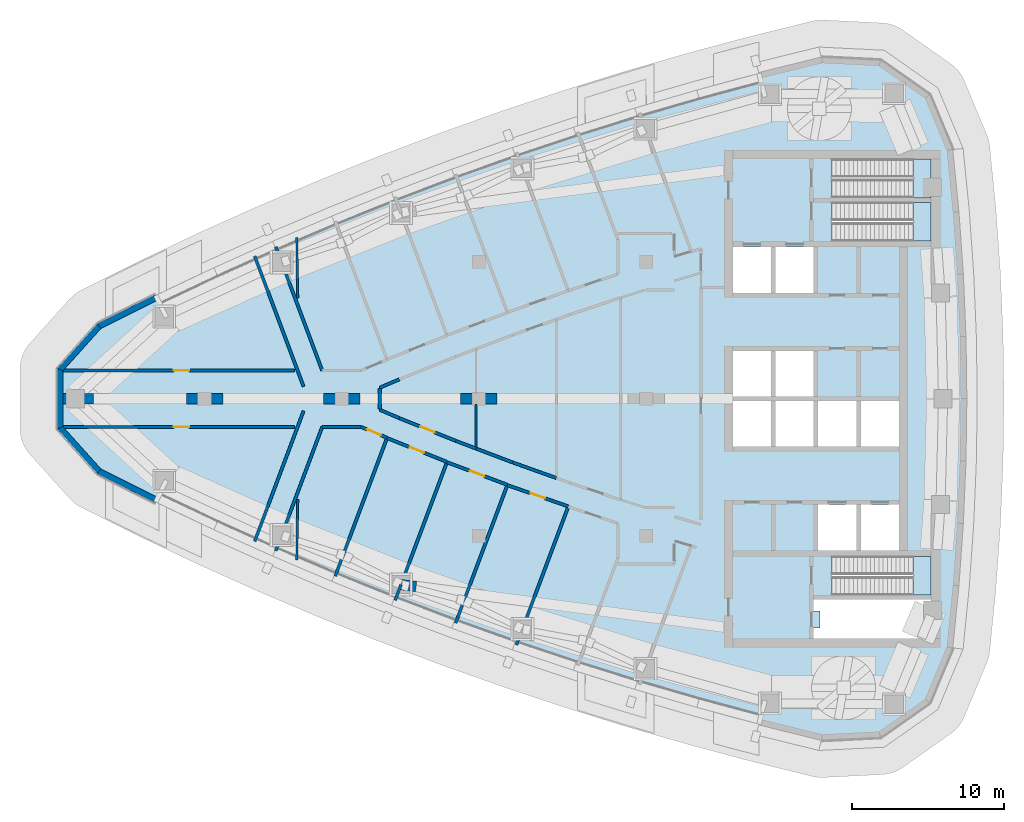
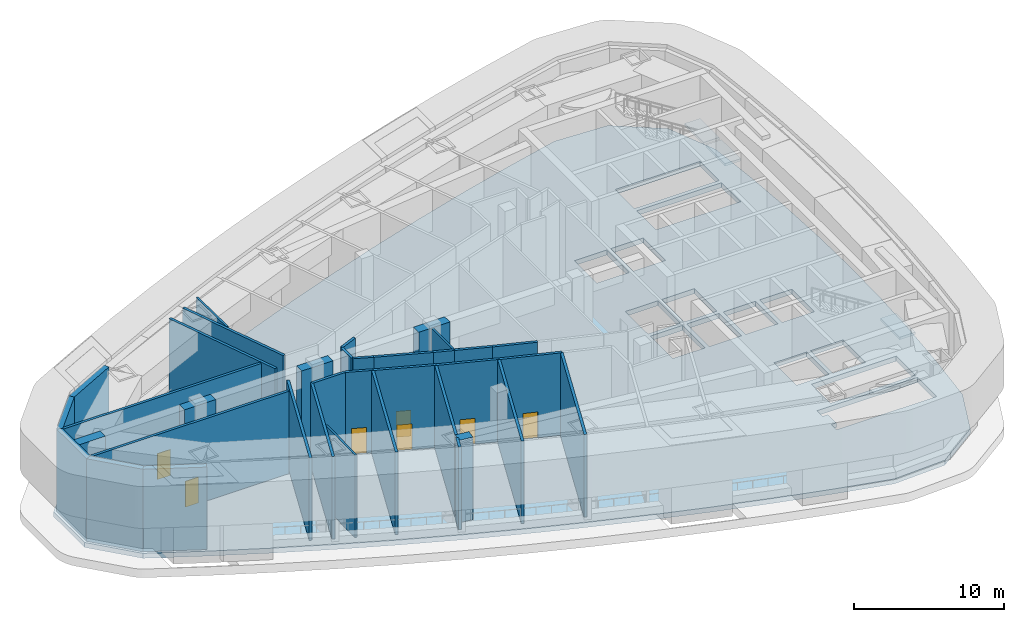
# One storey, part 2 of 12: 36 walls, 7 doors, 4 slabs, 8 openings, 3 elements without a shape of their own.
"""IFC4 building model written with IfcOpenShell, lengths in metres."""

from ifc_helpers import new_model, si_unit, direction, frame, frame_2d, origin, place, context, subcontext, project, spatial, polyline, rectangle, outline, extrude, material, layer, layer_set, type_object, element, fill, aggregate, save


model = new_model("IFC4")

# Units and contexts
model_context = context("Model", 3, precision=1e-05, world=origin(), true_north=direction((0.0, 1.0)))
body_context = subcontext(model_context, "Body", "Model", "MODEL_VIEW")
ifc_project = project(units=[si_unit("LENGTHUNIT", "METRE"), si_unit("AREAUNIT", "SQUARE_METRE"), si_unit("VOLUMEUNIT", "CUBIC_METRE"), si_unit("PLANEANGLEUNIT", "RADIAN"), si_unit("MASSUNIT", "GRAM", prefix="KILO")], contexts=[model_context])

# Site, building, storey
site_placement = place(None, origin())
site = spatial("IfcSite", under=ifc_project, at=site_placement, CompositionType="ELEMENT")
building_placement = place(site_placement, origin())
building = spatial("IfcBuilding", under=site, at=building_placement, Name="Ostrand Prow Hotel Tower", CompositionType="ELEMENT")
storey_placement = place(building_placement, frame((0.0, 0.0, 256.300048828125)))
storey = spatial("IfcBuildingStorey", under=building, at=storey_placement, Name="L65", CompositionType="ELEMENT", Elevation=256.300048828125)

# Slab, opening
ifc_material_1 = material(Name="Concrete C40/50", Category="concrete")
ifc_layer_1 = layer(ifc_material_1, 0.39990234375)
ifc_layer_set_1 = layer_set([ifc_layer_1], Name="Concrete C40/50")
slab_type_1 = type_object("IfcSlabType", Name="PT flat plate 400 C40/50", PredefinedType="FLOOR", material=ifc_layer_set_1)
slab_1_placement = place(storey_placement, frame((0.0, 0.0, -0.400146484375)))
slab_1 = element("IfcSlab", 1, at=slab_1_placement, inside=storey, type_object=slab_type_1, Name="Floor slab L65-1", PredefinedType="FLOOR", context=body_context, shape_type="SweptSolid", body=[
    extrude(outline(polyline([(8.85205078125, 5.097412109375), (12.679443359375, 7.009765625), (16.50390625, 8.825439453125), (20.364013671875, 10.563720703125), (24.258544921875, 12.223876953125), (28.185791015625, 13.80517578125), (32.143798828125, 15.30712890625), (36.131591796875, 16.72900390625), (40.14697265625, 18.0703125), (44.188720703125, 19.330810546875), (48.2548828125, 20.50927734375), (52.343994140625, 21.605712890625), (56.4873046875, 22.627685546875), (60.48193359375, 22.4287109375), (63.7822265625, 20.107177734375), (65.320068359375, 16.414794921875), (65.728515625, 12.29736328125), (66.018310546875, 8.20361328125), (66.19189453125, 4.103515625), (66.25, 0.0), (66.19189453125, -4.103515625), (66.018310546875, -8.20361328125), (65.728515625, -12.29736328125), (65.320068359375, -16.414794921875), (63.7822265625, -20.107177734375), (60.48193359375, -22.4287109375), (56.4873046875, -22.627685546875), (52.343994140625, -21.605712890625), (48.2548828125, -20.50927734375), (44.188720703125, -19.330810546875), (40.14697265625, -18.0703125), (36.131591796875, -16.72900390625), (32.143798828125, -15.30712890625), (28.185791015625, -13.80517578125), (24.258544921875, -12.223876953125), (20.364013671875, -10.563720703125), (16.50390625, -8.825439453125), (12.679443359375, -7.009765625), (8.85205078125, -5.097412109375), (6.127685546875, -2.06298828125), (6.127685546875, 2.06298828125), (8.85205078125, 5.097412109375)]), holes=[polyline([(50.699951171875, 6.949951171875), (53.199951171875, 6.949951171875), (53.199951171875, 9.949951171875), (50.699951171875, 9.949951171875), (50.699951171875, 6.949951171875)]), polyline([(53.5, 6.949951171875), (56.0, 6.949951171875), (56.0, 9.949951171875), (53.5, 9.949951171875), (53.5, 6.949951171875)]), polyline([(50.699951171875, 0.14990234375), (53.199951171875, 0.14990234375), (53.199951171875, 3.14990234375), (50.699951171875, 3.14990234375), (50.699951171875, 0.14990234375)]), polyline([(53.5, 0.14990234375), (56.0, 0.14990234375), (56.0, 3.14990234375), (53.5, 3.14990234375), (53.5, 0.14990234375)]), polyline([(50.699951171875, -3.14990234375), (53.199951171875, -3.14990234375), (53.199951171875, -0.14990234375), (50.699951171875, -0.14990234375), (50.699951171875, -3.14990234375)]), polyline([(53.5, -3.14990234375), (56.0, -3.14990234375), (56.0, -0.14990234375), (53.5, -0.14990234375), (53.5, -3.14990234375)]), polyline([(56.300048828125, -3.14990234375), (58.800048828125, -3.14990234375), (58.800048828125, -0.14990234375), (56.300048828125, -0.14990234375), (56.300048828125, -3.14990234375)]), polyline([(59.10009765625, -3.14990234375), (61.60009765625, -3.14990234375), (61.60009765625, -0.14990234375), (59.10009765625, -0.14990234375), (59.10009765625, -3.14990234375)]), polyline([(56.300048828125, -9.949951171875), (58.800048828125, -9.949951171875), (58.800048828125, -6.949951171875), (56.300048828125, -6.949951171875), (56.300048828125, -9.949951171875)]), polyline([(59.10009765625, -9.949951171875), (61.60009765625, -9.949951171875), (61.60009765625, -6.949951171875), (59.10009765625, -6.949951171875), (59.10009765625, -9.949951171875)]), polyline([(57.200927734375, 10.35107421875), (57.200927734375, 12.89892578125), (63.718994140625, 12.89892578125), (63.718994140625, 10.35107421875), (57.200927734375, 10.35107421875)]), polyline([(57.200927734375, 13.200927734375), (57.200927734375, 15.7490234375), (63.718994140625, 15.7490234375), (63.718994140625, 13.200927734375), (57.200927734375, 13.200927734375)]), polyline([(57.200927734375, -12.89892578125), (57.200927734375, -10.35107421875), (63.718994140625, -10.35107421875), (63.718994140625, -12.89892578125), (57.200927734375, -12.89892578125)]), polyline([(56.0, -13.949951171875), (56.0, -13.199951171875), (63.719970703125, -13.199951171875), (63.719970703125, -15.75), (56.0, -15.75), (56.0, -15.050048828125), (56.39990234375, -15.050048828125), (56.39990234375, -13.949951171875), (56.0, -13.949951171875)])]), origin(), (0.0, 0.0, 1.0), 0.400146484375),
])
opening_1_placement = place(slab_1_placement, origin())
element("IfcOpeningElement", 2, at=opening_1_placement, cuts=slab_1, Name="Shaft opening 1", PredefinedType="OPENING", context=body_context, shape_type="SweptSolid", body=[
    extrude(outline(polyline([(56.0, -13.949951171875), (56.0, -13.199951171875), (63.719970703125, -13.199951171875), (63.719970703125, -15.75), (56.0, -15.75), (56.0, -15.050048828125), (56.39990234375, -15.050048828125), (56.39990234375, -13.949951171875), (56.0, -13.949951171875)])), origin(), (0.0, 0.0, 1.0), 0.400146484375),
])

# Stair, slab
ifc_material_2 = material(Name="Concrete C40/50", Category="concrete")
stair_type = type_object("IfcStairType", Name="Exit stair 1200 upper zone", PredefinedType="HALF_TURN_STAIR", material=ifc_material_2)
stair_1_placement = place(storey_placement, origin())
stair_1 = element("IfcStair", 3, at=stair_1_placement, inside=storey, type_object=stair_type, Name="L65 ST1C", PredefinedType="HALF_TURN_STAIR")
ifc_material_3 = material(Name="Concrete C40/50", Category="concrete")
ifc_layer_2 = layer(ifc_material_3, 0.199951171875)
ifc_layer_set_2 = layer_set([ifc_layer_2], Name="Concrete C40/50")
slab_type_2 = type_object("IfcSlabType", Name="Stair landing 200 concrete", PredefinedType="LANDING", material=ifc_layer_set_2)
slab_2_placement = place(storey_placement, frame((0.0, 0.0, 3.300048828125)))
slab_2 = element("IfcSlab", 4, at=slab_2_placement, type_object=slab_type_2, Name="ST1C landing 1", PredefinedType="LANDING", context=body_context, shape_type="SweptSolid", body=[
    extrude(outline(polyline([(62.52001953125, 10.35009765625), (63.719970703125, 10.35009765625), (63.719970703125, 12.89990234375), (62.52001953125, 12.89990234375), (62.52001953125, 10.35009765625)])), origin(), (0.0, 0.0, 1.0), 0.199951171875),
])
aggregate(stair_1, [slab_2])

stair_2_placement = place(storey_placement, origin())
stair_2 = element("IfcStair", 5, at=stair_2_placement, inside=storey, type_object=stair_type, Name="L65 ST3C", PredefinedType="HALF_TURN_STAIR")
slab_3_placement = place(storey_placement, frame((0.0, 0.0, 3.300048828125)))
slab_3 = element("IfcSlab", 6, at=slab_3_placement, type_object=slab_type_2, Name="ST3C landing 1", PredefinedType="LANDING", context=body_context, shape_type="SweptSolid", body=[
    extrude(outline(polyline([(62.52001953125, 13.199951171875), (63.719970703125, 13.199951171875), (63.719970703125, 15.75), (62.52001953125, 15.75), (62.52001953125, 13.199951171875)])), origin(), (0.0, 0.0, 1.0), 0.199951171875),
])
aggregate(stair_2, [slab_3])

stair_3_placement = place(storey_placement, origin())
stair_3 = element("IfcStair", 7, at=stair_3_placement, inside=storey, type_object=stair_type, Name="L65 ST2C", PredefinedType="HALF_TURN_STAIR")
slab_4_placement = place(storey_placement, frame((0.0, 0.0, 3.300048828125)))
slab_4 = element("IfcSlab", 8, at=slab_4_placement, type_object=slab_type_2, Name="ST2C landing 1", PredefinedType="LANDING", context=body_context, shape_type="SweptSolid", body=[
    extrude(outline(polyline([(62.52001953125, -12.89990234375), (63.719970703125, -12.89990234375), (63.719970703125, -10.35009765625), (62.52001953125, -10.35009765625), (62.52001953125, -12.89990234375)])), origin(), (0.0, 0.0, 1.0), 0.199951171875),
])
aggregate(stair_3, [slab_4])

# Walls
ifc_material_4 = material(Name="Concrete C50/60", Category="concrete")
ifc_layer_3 = layer(ifc_material_4, 0.699951171875)
ifc_layer_set_3 = layer_set([ifc_layer_3], Name="Concrete C50/60")
wall_type_1 = type_object("IfcWallType", Name="Outrigger wall 700 C50/60", PredefinedType="SHEAR", material=ifc_layer_set_3)
wall_1_placement = place(storey_placement, frame((6.31396484375, 0.0, 0.0), z_axis=(0.0, 0.0, 1.0), x_axis=(1.0, 0.0, 0.0)))
element("IfcWall", 9, at=wall_1_placement, inside=storey, type_object=wall_type_1, Name="Outrigger wall A1", PredefinedType="SHEAR", context=body_context, shape_type="SweptSolid", body=[
    extrude(rectangle(XDim=2.400146484375, YDim=0.699951171875, at=frame_2d((1.2001953125, 0.0))), origin(), (0.0, 0.0, 1.0), 6.699951171875),
])
for number, where, z_axis, x_axis, name in (
    (10, (14.800048828125, 0.0, 0.0), (0.0, 0.0, 1.0), (1.0, 0.0, 0.0), "Outrigger wall A2"),
    (11, (23.800048828125, 0.0, 0.0), (0.0, 0.0, 1.0), (1.0, 0.0, 0.0), "Outrigger wall A3"),
    (12, (32.800048828125, 0.0, 0.0), (0.0, 0.0, 1.0), (1.0, 0.0, 0.0), "Outrigger wall A4"),
):
    element("IfcWall", number, at=place(storey_placement, frame(where, z_axis=z_axis, x_axis=x_axis)), inside=storey, type_object=wall_type_1, Name=name, PredefinedType="SHEAR", context=body_context, shape_type="SweptSolid", body=[
        extrude(rectangle(XDim=2.39990234375, YDim=0.699951171875, at=frame_2d((1.199951171875, 0.0))), origin(), (0.0, 0.0, 1.0), 6.699951171875),
    ])
wall_2_placement = place(storey_placement, frame((29.8916015625, -12.336181640625, 0.0), z_axis=(0.0, 0.0, 1.0), x_axis=(-0.991401867066, 0.130852351822, 0.0)))
element("IfcWall", 13, at=wall_2_placement, inside=storey, type_object=wall_type_1, Name="Outrigger wall DS2", PredefinedType="SHEAR", context=body_context, shape_type="SweptSolid", body=[
    extrude(rectangle(XDim=1.0, YDim=0.699951171875, at=frame_2d((0.5, 0.0))), origin(), (0.0, 0.0, 1.0), 6.699951171875),
])
ifc_material_5 = material(Name="Plasterboard partition")
ifc_layer_4 = layer(ifc_material_5, 0.14990234375)
ifc_layer_set_4 = layer_set([ifc_layer_4], Name="Plasterboard partition")
wall_type_2 = type_object("IfcWallType", Name="Partition 150 room partition", PredefinedType="PARTITIONING", material=ifc_layer_set_4)
wall_3_placement = place(storey_placement, frame((33.830078125, -3.2724609375, 0.0), z_axis=(0.0, 0.0, 1.0), x_axis=(0.0, 1.0, 0.0)))
element("IfcWall", 14, at=wall_3_placement, inside=storey, type_object=wall_type_2, Name="ROOM PARTITION", PredefinedType="PARTITIONING", context=body_context, shape_type="SweptSolid", body=[
    extrude(rectangle(XDim=2.92236328125, YDim=0.14990234375, at=frame_2d((1.461181640625, 0.0))), origin(), (0.0, 0.0, 1.0), 6.699951171875),
])
for number, where, z_axis, x_axis, name in (
    (15, (22.05712890625, 10.577880859375, 0.0), (0.0, 0.0, 1.0), (0.013880726457, -0.999903658076, 0.0), "ROOM PARTITION"),
    (16, (22.1123046875, -6.603271484375, 0.0), (0.0, 0.0, 1.0), (-0.013880726457, -0.999903658076, 0.0), "ROOM PARTITION"),
):
    element("IfcWall", number, at=place(storey_placement, frame(where, z_axis=z_axis, x_axis=x_axis)), inside=storey, type_object=wall_type_2, Name=name, PredefinedType="PARTITIONING", context=body_context, shape_type="SweptSolid", body=[
        extrude(rectangle(XDim=3.97509765625, YDim=0.14990234375, at=frame_2d((1.987548828125, 0.0))), origin(), (0.0, 0.0, 1.0), 6.699951171875),
    ])

# Wall, opening, door
ifc_material_6 = material(Name="Plasterboard partition")
ifc_layer_5 = layer(ifc_material_6, 0.199951171875)
ifc_layer_set_5 = layer_set([ifc_layer_5], Name="Plasterboard partition")
wall_type_3 = type_object("IfcWallType", Name="Partition 200 corridor wall", PredefinedType="PARTITIONING", material=ifc_layer_set_5)
wall_4_placement = place(storey_placement, frame((6.724609375, 1.85009765625, 0.0), z_axis=(0.0, 0.0, 1.0), x_axis=(1.0, 0.0, 0.0)))
wall_4 = element("IfcWall", 17, at=wall_4_placement, inside=storey, type_object=wall_type_3, Name="CORRIDOR WALL", PredefinedType="PARTITIONING", context=body_context, shape_type="SweptSolid", body=[
    extrude(rectangle(XDim=15.187744140625, YDim=0.199951171875, at=frame_2d((7.59375, 0.0))), origin(), (0.0, 0.0, 1.0), 6.699951171875),
])
opening_2_placement = place(wall_4_placement, frame((7.257080078125, 0.0, 0.0)))
opening_2 = element("IfcOpeningElement", 18, at=opening_2_placement, cuts=wall_4, Name="Opening D1", PredefinedType="OPENING", context=body_context, shape_type="SweptSolid", body=[
    extrude(rectangle(XDim=1.0, YDim=2.10009765625, at=frame_2d((0.5, 1.050048828125))), frame((0.0, 0.10986328125, 0.0), z_axis=(0.0, -1.0, 0.0), x_axis=(1.0, 0.0, 0.0)), (0.0, 0.0, 1.0), 0.219970703125),
])
ifc_material_7 = material(Name="Timber door leaf", Category="wood")
door_type_1 = type_object("IfcDoorType", Name="Guest room door 1000", OperationType="SINGLE_SWING_LEFT", PredefinedType="DOOR", material=ifc_material_7)
door_1_placement = place(opening_2_placement, origin())
door_1 = element("IfcDoor", 19, at=door_1_placement, inside=storey, type_object=door_type_1, Name="DOOR", OperationType="SINGLE_SWING_LEFT", OverallHeight=2.10009765625, OverallWidth=1.0, PredefinedType="DOOR", context=body_context, shape_type="SweptSolid", body=[
    extrude(rectangle(XDim=1.0, YDim=2.10009765625, at=frame_2d((0.5, 1.050048828125))), frame((0.0, 0.02490234375, 0.0), z_axis=(0.0, -1.0, 0.0), x_axis=(1.0, 0.0, 0.0)), (0.0, 0.0, 1.0), 0.050048828125),
])
fill(opening_2, door_1)

wall_5_placement = place(storey_placement, frame((6.724609375, -1.85009765625, 0.0), z_axis=(0.0, 0.0, 1.0), x_axis=(1.0, 0.0, 0.0)))
wall_5 = element("IfcWall", 20, at=wall_5_placement, inside=storey, type_object=wall_type_3, Name="CORRIDOR WALL", PredefinedType="PARTITIONING", context=body_context, shape_type="SweptSolid", body=[
    extrude(rectangle(XDim=15.187744140625, YDim=0.199951171875, at=frame_2d((7.59375, 0.0))), origin(), (0.0, 0.0, 1.0), 6.699951171875),
])
opening_3_placement = place(wall_5_placement, frame((7.257080078125, 0.0, 0.0)))
opening_3 = element("IfcOpeningElement", 21, at=opening_3_placement, cuts=wall_5, Name="Opening D1R", PredefinedType="OPENING", context=body_context, shape_type="SweptSolid", body=[
    extrude(rectangle(XDim=1.0, YDim=2.10009765625, at=frame_2d((0.5, 1.050048828125))), frame((0.0, 0.10986328125, 0.0), z_axis=(0.0, -1.0, 0.0), x_axis=(1.0, 0.0, 0.0)), (0.0, 0.0, 1.0), 0.219970703125),
])
ifc_material_8 = material(Name="Timber door leaf", Category="wood")
door_type_2 = type_object("IfcDoorType", Name="Guest room door 1000 right", OperationType="SINGLE_SWING_RIGHT", PredefinedType="DOOR", material=ifc_material_8)
door_2_placement = place(opening_3_placement, origin())
door_2 = element("IfcDoor", 22, at=door_2_placement, inside=storey, type_object=door_type_2, Name="DOOR", OperationType="SINGLE_SWING_RIGHT", OverallHeight=2.10009765625, OverallWidth=1.0, PredefinedType="DOOR", context=body_context, shape_type="SweptSolid", body=[
    extrude(rectangle(XDim=1.0, YDim=2.10009765625, at=frame_2d((0.5, 1.050048828125))), frame((0.0, 0.02490234375, 0.0), z_axis=(0.0, -1.0, 0.0), x_axis=(1.0, 0.0, 0.0)), (0.0, 0.0, 1.0), 0.050048828125),
])
fill(opening_3, door_2)

wall_6_placement = place(storey_placement, frame((26.265869140625, -1.85009765625, 0.0), z_axis=(0.0, 0.0, 1.0), x_axis=(0.924055156704, -0.382259162569, 0.0)))
wall_6 = element("IfcWall", 23, at=wall_6_placement, inside=storey, type_object=wall_type_3, Name="CORRIDOR WALL", PredefinedType="PARTITIONING", context=body_context, shape_type="SweptSolid", body=[
    extrude(rectangle(XDim=1.8623046875, YDim=0.199951171875, at=frame_2d((0.93115234375, 0.0))), origin(), (0.0, 0.0, 1.0), 6.699951171875),
])
opening_4_placement = place(wall_6_placement, frame((0.43115234375, 0.0, 0.0)))
opening_4 = element("IfcOpeningElement", 24, at=opening_4_placement, cuts=wall_6, Name="Opening D1R", PredefinedType="OPENING", context=body_context, shape_type="SweptSolid", body=[
    extrude(rectangle(XDim=1.0, YDim=2.10009765625, at=frame_2d((0.5, 1.050048828125))), frame((0.0, 0.10986328125, 0.0), z_axis=(0.0, -1.0, 0.0), x_axis=(1.0, 0.0, 0.0)), (0.0, 0.0, 1.0), 0.219970703125),
])
door_3_placement = place(opening_4_placement, origin())
door_3 = element("IfcDoor", 25, at=door_3_placement, inside=storey, type_object=door_type_2, Name="DOOR", OperationType="SINGLE_SWING_RIGHT", OverallHeight=2.10009765625, OverallWidth=1.0, PredefinedType="DOOR", context=body_context, shape_type="SweptSolid", body=[
    extrude(rectangle(XDim=1.0, YDim=2.10009765625, at=frame_2d((0.5, 1.050048828125))), frame((0.0, 0.02490234375, 0.0), z_axis=(0.0, -1.0, 0.0), x_axis=(1.0, 0.0, 0.0)), (0.0, 0.0, 1.0), 0.050048828125),
])
fill(opening_4, door_3)

wall_7_placement = place(storey_placement, frame((27.979736328125, -2.58056640625, 0.0), z_axis=(0.0, 0.0, 1.0), x_axis=(0.928920552813, -0.370279092795, 0.0)))
wall_7 = element("IfcWall", 26, at=wall_7_placement, inside=storey, type_object=wall_type_3, Name="CORRIDOR WALL", PredefinedType="PARTITIONING", context=body_context, shape_type="SweptSolid", body=[
    extrude(rectangle(XDim=4.2421875, YDim=0.199951171875, at=frame_2d((2.12109375, 0.0))), origin(), (0.0, 0.0, 1.0), 6.699951171875),
])
opening_5_placement = place(wall_7_placement, frame((1.62109375, 0.0, 0.0)))
opening_5 = element("IfcOpeningElement", 27, at=opening_5_placement, cuts=wall_7, Name="Opening D1", PredefinedType="OPENING", context=body_context, shape_type="SweptSolid", body=[
    extrude(rectangle(XDim=1.0, YDim=2.10009765625, at=frame_2d((0.5, 1.050048828125))), frame((0.0, 0.10986328125, 0.0), z_axis=(0.0, -1.0, 0.0), x_axis=(1.0, 0.0, 0.0)), (0.0, 0.0, 1.0), 0.219970703125),
])
door_4_placement = place(opening_5_placement, origin())
door_4 = element("IfcDoor", 28, at=door_4_placement, inside=storey, type_object=door_type_1, Name="DOOR", OperationType="SINGLE_SWING_LEFT", OverallHeight=2.10009765625, OverallWidth=1.0, PredefinedType="DOOR", context=body_context, shape_type="SweptSolid", body=[
    extrude(rectangle(XDim=1.0, YDim=2.10009765625, at=frame_2d((0.5, 1.050048828125))), frame((0.0, 0.02490234375, 0.0), z_axis=(0.0, -1.0, 0.0), x_axis=(1.0, 0.0, 0.0)), (0.0, 0.0, 1.0), 0.050048828125),
])
fill(opening_5, door_4)

wall_8_placement = place(storey_placement, frame((31.913330078125, -4.170166015625, 0.0), z_axis=(0.0, 0.0, 1.0), x_axis=(0.936848300955, -0.349735987565, 0.0)))
wall_8 = element("IfcWall", 29, at=wall_8_placement, inside=storey, type_object=wall_type_3, Name="CORRIDOR WALL", PredefinedType="PARTITIONING", context=body_context, shape_type="SweptSolid", body=[
    extrude(rectangle(XDim=4.24365234375, YDim=0.199951171875, at=frame_2d((2.121826171875, 0.0))), origin(), (0.0, 0.0, 1.0), 6.699951171875),
])
opening_6_placement = place(wall_8_placement, frame((1.621826171875, 0.0, 0.0)))
opening_6 = element("IfcOpeningElement", 30, at=opening_6_placement, cuts=wall_8, Name="Opening D1R", PredefinedType="OPENING", context=body_context, shape_type="SweptSolid", body=[
    extrude(rectangle(XDim=1.0, YDim=2.10009765625, at=frame_2d((0.5, 1.050048828125))), frame((0.0, 0.10986328125, 0.0), z_axis=(0.0, -1.0, 0.0), x_axis=(1.0, 0.0, 0.0)), (0.0, 0.0, 1.0), 0.219970703125),
])
door_5_placement = place(opening_6_placement, origin())
door_5 = element("IfcDoor", 31, at=door_5_placement, inside=storey, type_object=door_type_2, Name="DOOR", OperationType="SINGLE_SWING_RIGHT", OverallHeight=2.10009765625, OverallWidth=1.0, PredefinedType="DOOR", context=body_context, shape_type="SweptSolid", body=[
    extrude(rectangle(XDim=1.0, YDim=2.10009765625, at=frame_2d((0.5, 1.050048828125))), frame((0.0, 0.02490234375, 0.0), z_axis=(0.0, -1.0, 0.0), x_axis=(1.0, 0.0, 0.0)), (0.0, 0.0, 1.0), 0.050048828125),
])
fill(opening_6, door_5)

wall_9_placement = place(storey_placement, frame((35.882080078125, -5.673095703125, 0.0), z_axis=(0.0, 0.0, 1.0), x_axis=(0.944107376821, -0.329638075823, 0.0)))
wall_9 = element("IfcWall", 32, at=wall_9_placement, inside=storey, type_object=wall_type_3, Name="CORRIDOR WALL", PredefinedType="PARTITIONING", context=body_context, shape_type="SweptSolid", body=[
    extrude(rectangle(XDim=4.24462890625, YDim=0.199951171875, at=frame_2d((2.122314453125, 0.0))), origin(), (0.0, 0.0, 1.0), 6.699951171875),
])
opening_7_placement = place(wall_9_placement, frame((1.622314453125, 0.0, 0.0)))
opening_7 = element("IfcOpeningElement", 33, at=opening_7_placement, cuts=wall_9, Name="Opening D1", PredefinedType="OPENING", context=body_context, shape_type="SweptSolid", body=[
    extrude(rectangle(XDim=1.0, YDim=2.10009765625, at=frame_2d((0.5, 1.050048828125))), frame((0.0, 0.10986328125, 0.0), z_axis=(0.0, -1.0, 0.0), x_axis=(1.0, 0.0, 0.0)), (0.0, 0.0, 1.0), 0.219970703125),
])
door_6_placement = place(opening_7_placement, origin())
door_6 = element("IfcDoor", 34, at=door_6_placement, inside=storey, type_object=door_type_1, Name="DOOR", OperationType="SINGLE_SWING_LEFT", OverallHeight=2.10009765625, OverallWidth=1.0, PredefinedType="DOOR", context=body_context, shape_type="SweptSolid", body=[
    extrude(rectangle(XDim=1.0, YDim=2.10009765625, at=frame_2d((0.5, 1.050048828125))), frame((0.0, 0.02490234375, 0.0), z_axis=(0.0, -1.0, 0.0), x_axis=(1.0, 0.0, 0.0)), (0.0, 0.0, 1.0), 0.050048828125),
])
fill(opening_7, door_6)

wall_10_placement = place(storey_placement, frame((32.50146484375, -2.768310546875, 0.0), z_axis=(0.0, 0.0, 1.0), x_axis=(-0.927622894464, 0.373518092823, 0.0)))
wall_10 = element("IfcWall", 35, at=wall_10_placement, inside=storey, type_object=wall_type_3, Name="CORRIDOR WALL", PredefinedType="PARTITIONING", context=body_context, shape_type="SweptSolid", body=[
    extrude(rectangle(XDim=3.994873046875, YDim=0.199951171875, at=frame_2d((1.99755859375, 0.0))), origin(), (0.0, 0.0, 1.0), 6.699951171875),
])
opening_8_placement = place(wall_10_placement, frame((1.49755859375, 0.0, 0.0)))
opening_8 = element("IfcOpeningElement", 36, at=opening_8_placement, cuts=wall_10, Name="Opening D1", PredefinedType="OPENING", context=body_context, shape_type="SweptSolid", body=[
    extrude(rectangle(XDim=1.0, YDim=2.10009765625, at=frame_2d((0.5, 1.050048828125))), frame((0.0, 0.10986328125, 0.0), z_axis=(0.0, -1.0, 0.0), x_axis=(1.0, 0.0, 0.0)), (0.0, 0.0, 1.0), 0.219970703125),
])
door_7_placement = place(opening_8_placement, origin())
door_7 = element("IfcDoor", 37, at=door_7_placement, inside=storey, type_object=door_type_1, Name="DOOR", OperationType="SINGLE_SWING_LEFT", OverallHeight=2.10009765625, OverallWidth=1.0, PredefinedType="DOOR", context=body_context, shape_type="SweptSolid", body=[
    extrude(rectangle(XDim=1.0, YDim=2.10009765625, at=frame_2d((0.5, 1.050048828125))), frame((0.0, 0.02490234375, 0.0), z_axis=(0.0, -1.0, 0.0), x_axis=(1.0, 0.0, 0.0)), (0.0, 0.0, 1.0), 0.050048828125),
])
fill(opening_8, door_7)

# Walls
for number, where, z_axis, x_axis, name in (
    (38, (28.795654296875, -1.276123046875, 0.0), (0.0, 0.0, 1.0), (-0.919923264641, 0.392098440666, 0.0), "CORRIDOR WALL"),
    (39, (27.5, 0.723876953125, 0.0), (0.0, 0.0, 1.0), (0.919923264641, 0.392098440666, 0.0), "CORRIDOR WALL"),
):
    element("IfcWall", number, at=place(storey_placement, frame(where, z_axis=z_axis, x_axis=x_axis)), inside=storey, type_object=wall_type_3, Name=name, PredefinedType="PARTITIONING", context=body_context, shape_type="SweptSolid", body=[
        extrude(rectangle(XDim=1.408447265625, YDim=0.199951171875, at=frame_2d((0.7041015625, 0.0))), origin(), (0.0, 0.0, 1.0), 6.699951171875),
    ])
wall_11_placement = place(storey_placement, frame((33.830078125, -3.2724609375, 0.0), z_axis=(0.0, 0.0, 1.0), x_axis=(-0.934952335593, 0.354773350422, 0.0)))
element("IfcWall", 40, at=wall_11_placement, inside=storey, type_object=wall_type_3, Name="CORRIDOR WALL", PredefinedType="PARTITIONING", context=body_context, shape_type="SweptSolid", body=[
    extrude(rectangle(XDim=1.421142578125, YDim=0.199951171875, at=frame_2d((0.71044921875, 0.0))), origin(), (0.0, 0.0, 1.0), 6.699951171875),
])
wall_12_placement = place(storey_placement, frame((36.236328125, -4.185546875, 0.0), z_axis=(0.0, 0.0, 1.0), x_axis=(-0.934949791539, 0.354780054825, 0.0)))
element("IfcWall", 41, at=wall_12_placement, inside=storey, type_object=wall_type_3, Name="CORRIDOR WALL", PredefinedType="PARTITIONING", context=body_context, shape_type="SweptSolid", body=[
    extrude(rectangle(XDim=2.57373046875, YDim=0.199951171875, at=frame_2d((1.286865234375, 0.0))), origin(), (0.0, 0.0, 1.0), 6.699951171875),
])
wall_13_placement = place(storey_placement, frame((39.10498046875, -5.20849609375, 0.0), z_axis=(0.0, 0.0, 1.0), x_axis=(-0.941905026751, 0.335879324433, 0.0)))
element("IfcWall", 42, at=wall_13_placement, inside=storey, type_object=wall_type_3, Name="CORRIDOR WALL", PredefinedType="PARTITIONING", context=body_context, shape_type="SweptSolid", body=[
    extrude(rectangle(XDim=3.045654296875, YDim=0.199951171875, at=frame_2d((1.52294921875, 0.0))), origin(), (0.0, 0.0, 1.0), 6.699951171875),
])
wall_14_placement = place(storey_placement, frame((27.5048828125, -0.68408203125, 0.0), z_axis=(0.0, 0.0, 1.0), x_axis=(0.0, 1.0, 0.0)))
element("IfcWall", 43, at=wall_14_placement, inside=storey, type_object=wall_type_3, Name="CORRIDOR WALL", PredefinedType="PARTITIONING", context=body_context, shape_type="SweptSolid", body=[
    extrude(rectangle(XDim=1.3681640625, YDim=0.199951171875, at=frame_2d((0.68408203125, 0.0))), origin(), (0.0, 0.0, 1.0), 6.699951171875),
])
wall_15_placement = place(storey_placement, frame((23.72412109375, -1.85009765625, 0.0), z_axis=(0.0, 0.0, 1.0), x_axis=(1.0, 0.0, 0.0)))
element("IfcWall", 44, at=wall_15_placement, inside=storey, type_object=wall_type_3, Name="CORRIDOR WALL", PredefinedType="PARTITIONING", context=body_context, shape_type="SweptSolid", body=[
    extrude(rectangle(XDim=2.541748046875, YDim=0.199951171875, at=frame_2d((1.27099609375, 0.0))), origin(), (0.0, 0.0, 1.0), 6.699951171875),
])
ifc_material_9 = material(Name="Plasterboard partition")
ifc_layer_6 = layer(ifc_material_9, 0.199951171875)
ifc_layer_set_6 = layer_set([ifc_layer_6], Name="Plasterboard partition")
wall_type_4 = type_object("IfcWallType", Name="Partition 200 key partition", PredefinedType="PARTITIONING", material=ifc_layer_set_6)
wall_16_placement = place(storey_placement, frame((22.5, 0.800048828125, 0.0), z_axis=(0.0, 0.0, 1.0), x_axis=(-0.351132214998, 0.936325887494, 0.0)))
element("IfcWall", 45, at=wall_16_placement, inside=storey, type_object=wall_type_4, Name="KEY PARTITION", PredefinedType="PARTITIONING", context=body_context, shape_type="SweptSolid", body=[
    extrude(rectangle(XDim=9.148681640625, YDim=0.199951171875, at=frame_2d((4.57421875, 0.0))), origin(), (0.0, 0.0, 1.0), 6.699951171875),
])
wall_17_placement = place(storey_placement, frame((23.72412109375, 1.85009765625, 0.0), z_axis=(0.0, 0.0, 1.0), x_axis=(-0.351141911069, 0.936322251306, 0.0)))
element("IfcWall", 46, at=wall_17_placement, inside=storey, type_object=wall_type_4, Name="KEY PARTITION", PredefinedType="PARTITIONING", context=body_context, shape_type="SweptSolid", body=[
    extrude(rectangle(XDim=8.691650390625, YDim=0.199951171875, at=frame_2d((4.345703125, 0.0))), origin(), (0.0, 0.0, 1.0), 6.699951171875),
])
wall_18_placement = place(storey_placement, frame((19.28759765625, -9.3662109375, 0.0), z_axis=(0.0, 0.0, 1.0), x_axis=(0.351132214998, 0.936325887494, 0.0)))
element("IfcWall", 47, at=wall_18_placement, inside=storey, type_object=wall_type_4, Name="KEY PARTITION", PredefinedType="PARTITIONING", context=body_context, shape_type="SweptSolid", body=[
    extrude(rectangle(XDim=9.148681640625, YDim=0.199951171875, at=frame_2d((4.57421875, 0.0))), origin(), (0.0, 0.0, 1.0), 6.699951171875),
])
wall_19_placement = place(storey_placement, frame((20.672119140625, -9.98828125, 0.0), z_axis=(0.0, 0.0, 1.0), x_axis=(0.351141911069, 0.936322251306, 0.0)))
element("IfcWall", 48, at=wall_19_placement, inside=storey, type_object=wall_type_4, Name="KEY PARTITION", PredefinedType="PARTITIONING", context=body_context, shape_type="SweptSolid", body=[
    extrude(rectangle(XDim=8.691650390625, YDim=0.199951171875, at=frame_2d((4.345703125, 0.0))), origin(), (0.0, 0.0, 1.0), 6.699951171875),
])
wall_20_placement = place(storey_placement, frame((24.577880859375, -11.651611328125, 0.0), z_axis=(0.0, 0.0, 1.0), x_axis=(0.351153757858, 0.936317808408, 0.0)))
element("IfcWall", 49, at=wall_20_placement, inside=storey, type_object=wall_type_4, Name="KEY PARTITION", PredefinedType="PARTITIONING", context=body_context, shape_type="SweptSolid", body=[
    extrude(rectangle(XDim=9.707763671875, YDim=0.199951171875, at=frame_2d((4.85400390625, 0.0))), origin(), (0.0, 0.0, 1.0), 6.699951171875),
])
wall_21_placement = place(storey_placement, frame((28.51416015625, -13.234619140625, 0.0), z_axis=(0.0, 0.0, 1.0), x_axis=(0.351196471421, 0.936301788133, 0.0)))
element("IfcWall", 50, at=wall_21_placement, inside=storey, type_object=wall_type_4, Name="KEY PARTITION", PredefinedType="PARTITIONING", context=body_context, shape_type="SweptSolid", body=[
    extrude(rectangle(XDim=1.09912109375, YDim=0.199951171875, at=frame_2d((0.549560546875, 0.0))), origin(), (0.0, 0.0, 1.0), 6.699951171875),
])
wall_22_placement = place(storey_placement, frame((29.0263671875, -11.868896484375, 0.0), z_axis=(0.0, 0.0, 1.0), x_axis=(0.351120195515, 0.93633039484, 0.0)))
element("IfcWall", 51, at=wall_22_placement, inside=storey, type_object=wall_type_4, Name="KEY PARTITION", PredefinedType="PARTITIONING", context=body_context, shape_type="SweptSolid", body=[
    extrude(rectangle(XDim=8.242431640625, YDim=0.199951171875, at=frame_2d((4.12109375, 0.0))), origin(), (0.0, 0.0, 1.0), 6.699951171875),
])
wall_23_placement = place(storey_placement, frame((32.482666015625, -14.73779296875, 0.0), z_axis=(0.0, 0.0, 1.0), x_axis=(0.351117925717, 0.936331246002, 0.0)))
element("IfcWall", 52, at=wall_23_placement, inside=storey, type_object=wall_type_4, Name="KEY PARTITION", PredefinedType="PARTITIONING", context=body_context, shape_type="SweptSolid", body=[
    extrude(rectangle(XDim=9.701171875, YDim=0.199951171875, at=frame_2d((4.8505859375, 0.0))), origin(), (0.0, 0.0, 1.0), 6.699951171875),
])
wall_24_placement = place(storey_placement, frame((36.481201171875, -16.16064453125, 0.0), z_axis=(0.0, 0.0, 1.0), x_axis=(0.35112895446, 0.936327110224, 0.0)))
element("IfcWall", 53, at=wall_24_placement, inside=storey, type_object=wall_type_4, Name="KEY PARTITION", PredefinedType="PARTITIONING", context=body_context, shape_type="SweptSolid", body=[
    extrude(rectangle(XDim=9.706298828125, YDim=0.199951171875, at=frame_2d((4.85302734375, 0.0))), origin(), (0.0, 0.0, 1.0), 6.699951171875),
])
ifc_material_10 = material(Name="Precast concrete C40/50", Category="concrete")
ifc_layer_7 = layer(ifc_material_10, 0.39990234375)
ifc_layer_set_7 = layer_set([ifc_layer_7], Name="Precast concrete C40/50")
wall_type_5 = type_object("IfcWallType", Name="Stone-faced precast wall 400 mm", PredefinedType="NOTDEFINED", material=ifc_layer_set_7)
wall_25_placement = place(storey_placement, frame((12.849365234375, 6.66064453125, 0.0), z_axis=(0.0, 0.0, 1.0), x_axis=(-0.894554263274, -0.446959360634, 0.0)))
element("IfcWall", 54, at=wall_25_placement, inside=storey, type_object=wall_type_5, Name="Stone-faced wall prow 1", PredefinedType="NOTDEFINED", context=body_context, shape_type="SweptSolid", body=[
    extrude(outline(polyline([(0.0, -0.199951171875), (4.263671875, -0.199951171875), (4.1875, 0.199951171875), (0.0, 0.199951171875), (0.0, -0.199951171875)])), origin(), (0.0, 0.0, 1.0), 6.699951171875),
])
wall_26_placement = place(storey_placement, frame((9.0693359375, 4.77197265625, 0.0), z_axis=(0.0, 0.0, 1.0), x_axis=(-0.668018215058, -0.744144921605, 0.0)))
element("IfcWall", 55, at=wall_26_placement, inside=storey, type_object=wall_type_5, Name="Stone-faced wall prow 2", PredefinedType="NOTDEFINED", context=body_context, shape_type="SweptSolid", body=[
    extrude(outline(polyline([(-0.0380859375, -0.199951171875), (3.912353515625, -0.199951171875), (3.759033203125, 0.199951171875), (0.0380859375, 0.199951171875), (-0.0380859375, -0.199951171875)])), origin(), (0.0, 0.0, 1.0), 6.699951171875),
])
wall_27_placement = place(storey_placement, frame((6.507080078125, 1.917724609375, 0.0), z_axis=(0.0, 0.0, 1.0), x_axis=(0.0, -1.0, 0.0)))
element("IfcWall", 56, at=wall_27_placement, inside=storey, type_object=wall_type_5, Name="Stone-faced wall prow 3", PredefinedType="NOTDEFINED", context=body_context, shape_type="SweptSolid", body=[
    extrude(outline(polyline([(-0.07666015625, -0.199951171875), (3.912109375, -0.199951171875), (3.7587890625, 0.199951171875), (0.07666015625, 0.199951171875), (-0.07666015625, -0.199951171875)])), origin(), (0.0, 0.0, 1.0), 6.699951171875),
])
wall_28_placement = place(storey_placement, frame((6.507080078125, -1.917724609375, 0.0), z_axis=(0.0, 0.0, 1.0), x_axis=(0.668018215058, -0.744144921605, 0.0)))
element("IfcWall", 57, at=wall_28_placement, inside=storey, type_object=wall_type_5, Name="Stone-faced wall prow 4", PredefinedType="NOTDEFINED", context=body_context, shape_type="SweptSolid", body=[
    extrude(outline(polyline([(-0.07666015625, -0.199951171875), (3.873779296875, -0.199951171875), (3.797607421875, 0.199951171875), (0.07666015625, 0.199951171875), (-0.07666015625, -0.199951171875)])), origin(), (0.0, 0.0, 1.0), 6.699951171875),
])
wall_29_placement = place(storey_placement, frame((9.0693359375, -4.77197265625, 0.0), z_axis=(0.0, 0.0, 1.0), x_axis=(0.894554263274, -0.446959360634, 0.0)))
element("IfcWall", 58, at=wall_29_placement, inside=storey, type_object=wall_type_5, Name="Stone-faced wall prow 5", PredefinedType="NOTDEFINED", context=body_context, shape_type="SweptSolid", body=[
    extrude(outline(polyline([(-0.0380859375, -0.199951171875), (4.2255859375, -0.199951171875), (4.2255859375, 0.199951171875), (0.0380859375, 0.199951171875), (-0.0380859375, -0.199951171875)])), origin(), (0.0, 0.0, 1.0), 6.699951171875),
])

save(model, "model.ifc")
